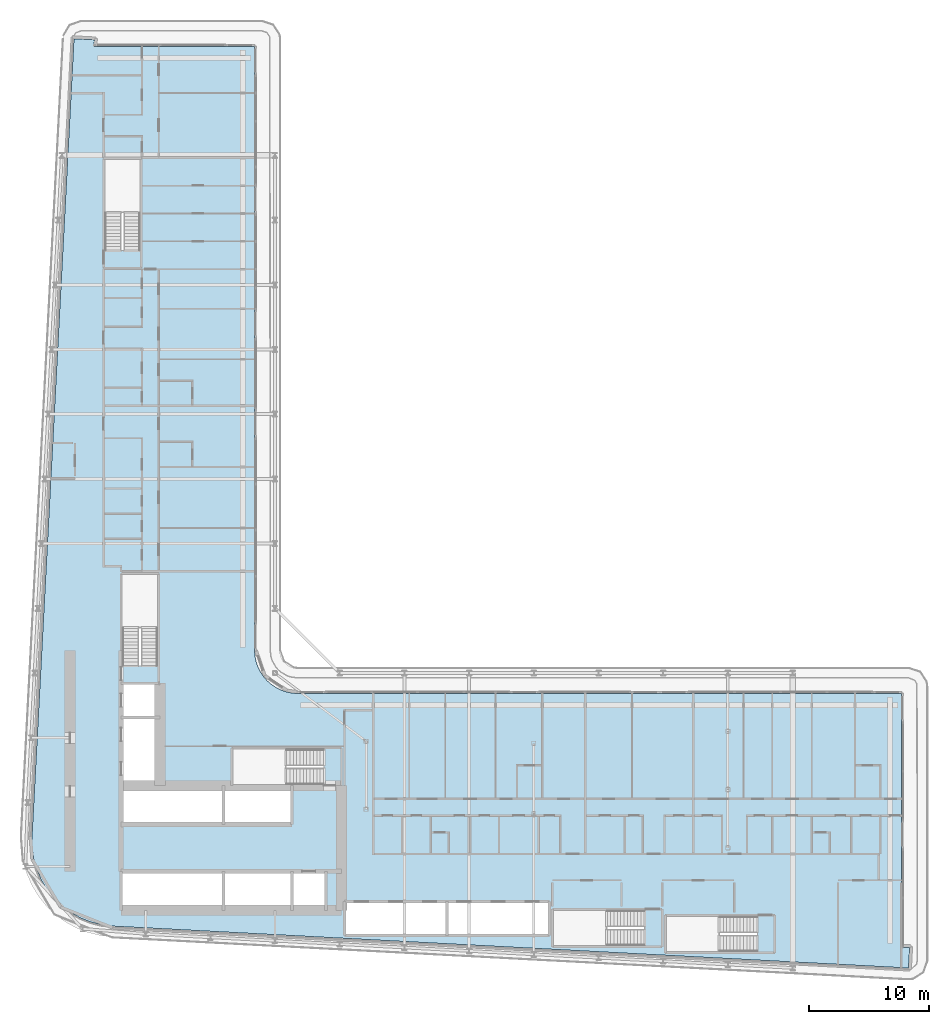
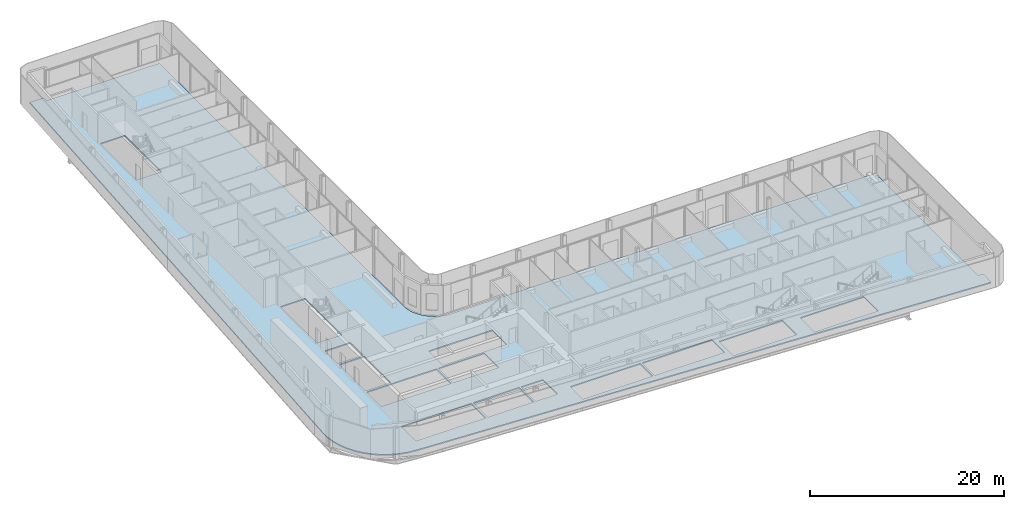
# One storey, part 11 of 28: 1 slab.
"""IFC4 building model written with IfcOpenShell, lengths in metres."""

from ifc_helpers import new_model, si_unit, direction, frame, origin, place, context, subcontext, project, spatial, polyline, outline, extrude, material, layer, layer_set, type_object, element, save


model = new_model("IFC4")

# Units and contexts
model_context = context("Model", 3, precision=1e-05, world=origin(), true_north=direction((0.0, 1.0)))
body_context = subcontext(model_context, "Body", "Model", "MODEL_VIEW")
ifc_project = project(units=[si_unit("LENGTHUNIT", "METRE"), si_unit("AREAUNIT", "SQUARE_METRE"), si_unit("VOLUMEUNIT", "CUBIC_METRE"), si_unit("PLANEANGLEUNIT", "RADIAN"), si_unit("MASSUNIT", "GRAM", prefix="KILO")], contexts=[model_context])

# Site, building, storey
site_placement = place(None, origin())
site = spatial("IfcSite", under=ifc_project, at=site_placement, CompositionType="ELEMENT")
building_placement = place(site_placement, origin())
building = spatial("IfcBuilding", under=site, at=building_placement, Name="Kheshtan School and Residences Tower", CompositionType="ELEMENT")
storey_placement = place(building_placement, frame((0.0, 0.0, 140.89990234375)))
storey = spatial("IfcBuildingStorey", under=building, at=storey_placement, Name="L33", CompositionType="ELEMENT", Elevation=140.89990234375)

# Slab
ifc_material = material(Name="Concrete C40/50", Category="concrete")
ifc_layer = layer(ifc_material, 0.14990234375)
ifc_layer_set = layer_set([ifc_layer], Name="Floor slab 150 Concrete C40/50")
slab_type = type_object("IfcSlabType", Name="Floor slab 150 Concrete C40/50", PredefinedType="FLOOR", material=ifc_layer_set)
slab_placement = place(storey_placement, frame((0.0, 0.0, -0.14990234375)))
element("IfcSlab", 1, at=slab_placement, inside=storey, type_object=slab_type, Name="Floor slab L33", PredefinedType="FLOOR", context=body_context, shape_type="SweptSolid", body=[
    extrude(outline(polyline([(27.718017578125, 29.200927734375), (27.466064453125, 30.093017578125), (27.466064453125, 30.093994140625), (27.3330078125, 31.013916015625), (27.320068359375, 31.965087890625), (27.320068359375, 31.970947265625), (30.822021484375, 98.5009765625), (30.822998046875, 98.508056640625), (30.825927734375, 98.531005859375), (30.825927734375, 98.531982421875), (30.826904296875, 98.531982421875), (31.422119140625, 98.5), (31.423095703125, 98.5), (31.423095703125, 98.4990234375), (31.423095703125, 98.4951171875), (31.423095703125, 98.493896484375), (31.424072265625, 98.493896484375), (31.424072265625, 98.492919921875), (31.425048828125, 98.492919921875), (31.426025390625, 98.492919921875), (31.426025390625, 98.493896484375), (31.427978515625, 98.49609375), (31.428955078125, 98.4970703125), (31.429931640625, 98.498046875), (31.430908203125, 98.498046875), (31.430908203125, 98.4990234375), (31.431884765625, 98.4990234375), (31.431884765625, 98.5), (31.43505859375, 98.5009765625), (31.43603515625, 98.501953125), (31.43896484375, 98.501953125), (31.43994140625, 98.501953125), (31.43994140625, 98.5029296875), (31.44091796875, 98.5029296875), (31.446044921875, 98.5029296875), (32.5009765625, 98.447021484375), (32.50390625, 98.447021484375), (32.5048828125, 98.447021484375), (32.5048828125, 98.446044921875), (32.506103515625, 98.446044921875), (32.510009765625, 98.446044921875), (32.510009765625, 98.445068359375), (32.510986328125, 98.445068359375), (32.510986328125, 98.444091796875), (32.511962890625, 98.444091796875), (32.511962890625, 98.443115234375), (32.512939453125, 98.443115234375), (32.513916015625, 98.443115234375), (32.513916015625, 98.44189453125), (32.514892578125, 98.44189453125), (32.51611328125, 98.44189453125), (32.51904296875, 98.43896484375), (32.51904296875, 98.43798828125), (32.51904296875, 98.43701171875), (32.52001953125, 98.43701171875), (32.52001953125, 98.43603515625), (32.52099609375, 98.43603515625), (32.52099609375, 98.43408203125), (32.52099609375, 98.43310546875), (32.52197265625, 98.43310546875), (32.52197265625, 98.431884765625), (32.52294921875, 98.431884765625), (32.52294921875, 98.430908203125), (32.52294921875, 98.428955078125), (32.52294921875, 98.427978515625), (32.52392578125, 98.427978515625), (32.52392578125, 98.427001953125), (32.52392578125, 98.422119140625), (32.4970703125, 97.9208984375), (32.4970703125, 97.91796875), (32.4970703125, 97.9169921875), (32.49609375, 97.9169921875), (32.49609375, 97.916015625), (32.49609375, 97.912109375), (32.4951171875, 97.910888671875), (32.4951171875, 97.909912109375), (32.493896484375, 97.909912109375), (32.493896484375, 97.908935546875), (32.492919921875, 97.908935546875), (32.492919921875, 97.907958984375), (32.489013671875, 97.904052734375), (32.488037109375, 97.904052734375), (32.488037109375, 97.903076171875), (32.488037109375, 97.902099609375), (32.488037109375, 97.90087890625), (32.489013671875, 97.90087890625), (32.489013671875, 97.89990234375), (32.489990234375, 97.89990234375), (45.85498046875, 97.89990234375), (45.864990234375, 97.89794921875), (45.865966796875, 97.89794921875), (45.868896484375, 97.89599609375), (45.8740234375, 97.89404296875), (45.8779296875, 97.89208984375), (45.881103515625, 97.889892578125), (45.881103515625, 97.888916015625), (45.882080078125, 97.888916015625), (45.882080078125, 97.887939453125), (45.883056640625, 97.887939453125), (45.884033203125, 97.885009765625), (45.885009765625, 97.885009765625), (45.885009765625, 97.884033203125), (45.887939453125, 97.883056640625), (45.887939453125, 97.882080078125), (45.888916015625, 97.882080078125), (45.888916015625, 97.881103515625), (45.889892578125, 97.881103515625), (45.89208984375, 97.8779296875), (45.89404296875, 97.8740234375), (45.89599609375, 97.868896484375), (45.89794921875, 97.865966796875), (45.89794921875, 97.864990234375), (45.89990234375, 97.85498046875), (45.89990234375, 47.429931640625), (45.927001953125, 47.030029296875), (46.01806640625, 46.570068359375), (46.01806640625, 46.569091796875), (46.169921875, 46.1201171875), (46.37890625, 45.697021484375), (46.638916015625, 45.30810546875), (46.949951171875, 44.950927734375), (46.950927734375, 44.949951171875), (47.30810546875, 44.638916015625), (47.697021484375, 44.37890625), (48.1201171875, 44.169921875), (48.569091796875, 44.01806640625), (48.570068359375, 44.01806640625), (49.030029296875, 43.927001953125), (49.429931640625, 43.89990234375), (99.85498046875, 43.89990234375), (99.864990234375, 43.89794921875), (99.865966796875, 43.89794921875), (99.868896484375, 43.89599609375), (99.8740234375, 43.89404296875), (99.8779296875, 43.89208984375), (99.881103515625, 43.889892578125), (99.881103515625, 43.888916015625), (99.882080078125, 43.888916015625), (99.882080078125, 43.887939453125), (99.883056640625, 43.887939453125), (99.884033203125, 43.885009765625), (99.885009765625, 43.885009765625), (99.885009765625, 43.884033203125), (99.887939453125, 43.883056640625), (99.887939453125, 43.882080078125), (99.888916015625, 43.882080078125), (99.888916015625, 43.881103515625), (99.889892578125, 43.881103515625), (99.89208984375, 43.8779296875), (99.89404296875, 43.8740234375), (99.89599609375, 43.868896484375), (99.89794921875, 43.865966796875), (99.89794921875, 43.864990234375), (99.89990234375, 43.85498046875), (99.89990234375, 22.708984375), (99.89990234375, 22.7080078125), (99.90087890625, 22.7080078125), (99.90087890625, 22.70703125), (99.902099609375, 22.70703125), (99.903076171875, 22.70703125), (99.903076171875, 22.7080078125), (99.905029296875, 22.7099609375), (99.906982421875, 22.7119140625), (99.907958984375, 22.7119140625), (99.907958984375, 22.712890625), (99.908935546875, 22.712890625), (99.908935546875, 22.714111328125), (99.909912109375, 22.714111328125), (99.912109375, 22.715087890625), (99.9130859375, 22.716064453125), (99.916015625, 22.716064453125), (99.9169921875, 22.716064453125), (99.9169921875, 22.717041015625), (99.91796875, 22.717041015625), (99.923095703125, 22.717041015625), (100.5380859375, 22.68408203125), (100.541015625, 22.68408203125), (100.5419921875, 22.68408203125), (100.5419921875, 22.68310546875), (100.54296875, 22.68310546875), (100.547119140625, 22.68310546875), (100.547119140625, 22.681884765625), (100.548095703125, 22.681884765625), (100.548095703125, 22.680908203125), (100.549072265625, 22.680908203125), (100.549072265625, 22.679931640625), (100.550048828125, 22.679931640625), (100.551025390625, 22.679931640625), (100.551025390625, 22.678955078125), (100.552001953125, 22.678955078125), (100.552978515625, 22.678955078125), (100.552978515625, 22.677978515625), (100.554931640625, 22.676025390625), (100.555908203125, 22.676025390625), (100.555908203125, 22.675048828125), (100.555908203125, 22.674072265625), (100.556884765625, 22.674072265625), (100.556884765625, 22.673095703125), (100.55810546875, 22.673095703125), (100.55810546875, 22.6708984375), (100.55810546875, 22.669921875), (100.55908203125, 22.669921875), (100.55908203125, 22.6689453125), (100.56005859375, 22.6689453125), (100.56005859375, 22.66796875), (100.56005859375, 22.666015625), (100.56005859375, 22.6650390625), (100.56103515625, 22.6650390625), (100.56103515625, 22.6640625), (100.56103515625, 22.658935546875), (100.5048828125, 21.60205078125), (100.5048828125, 21.59912109375), (100.5048828125, 21.597900390625), (100.50390625, 21.597900390625), (100.50390625, 21.596923828125), (100.50390625, 21.593017578125), (100.5029296875, 21.592041015625), (100.5029296875, 21.591064453125), (100.501953125, 21.591064453125), (100.501953125, 21.590087890625), (100.5009765625, 21.590087890625), (100.5009765625, 21.589111328125), (100.5, 21.587890625), (100.498046875, 21.5859375), (100.4970703125, 21.5849609375), (100.49609375, 21.5849609375), (100.49609375, 21.583984375), (100.49609375, 21.5830078125), (100.49609375, 21.58203125), (100.4970703125, 21.58203125), (100.4970703125, 21.5810546875), (100.498046875, 21.5810546875), (100.4990234375, 21.5810546875), (100.5, 21.5810546875), (100.5, 21.580078125), (100.468017578125, 20.985107421875), (100.468017578125, 20.98388671875), (100.467041015625, 20.98388671875), (100.443115234375, 20.98291015625), (100.43798828125, 20.98291015625), (34.056884765625, 24.47802734375), (33.114990234375, 24.590087890625), (32.215087890625, 24.819091796875), (32.214111328125, 24.819091796875), (31.35205078125, 25.1630859375), (30.541015625, 25.616943359375), (29.799072265625, 26.1708984375), (29.799072265625, 26.172119140625), (29.798095703125, 26.172119140625), (29.134033203125, 26.820068359375), (29.134033203125, 26.821044921875), (29.133056640625, 26.821044921875), (28.55908203125, 27.550048828125), (28.0849609375, 28.345947265625), (27.718017578125, 29.200927734375)]), holes=[polyline([(99.89990234375, 21.5869140625), (99.89990234375, 21.5830078125), (99.89990234375, 21.58203125), (99.90087890625, 21.58203125), (99.90087890625, 21.5810546875), (99.902099609375, 21.5810546875), (99.906005859375, 21.5810546875), (99.906982421875, 21.5810546875), (99.906982421875, 21.58203125), (99.907958984375, 21.58203125), (99.907958984375, 21.5830078125), (99.907958984375, 21.583984375), (99.906982421875, 21.583984375), (99.905029296875, 21.5859375), (99.904052734375, 21.5869140625), (99.903076171875, 21.587890625), (99.903076171875, 21.589111328125), (99.902099609375, 21.589111328125), (99.90087890625, 21.589111328125), (99.90087890625, 21.587890625), (99.89990234375, 21.587890625), (99.89990234375, 21.5869140625)]), polyline([(31.423095703125, 97.906005859375), (31.423095703125, 97.902099609375), (31.423095703125, 97.90087890625), (31.424072265625, 97.90087890625), (31.424072265625, 97.89990234375), (31.425048828125, 97.89990234375), (31.428955078125, 97.89990234375), (31.429931640625, 97.89990234375), (31.429931640625, 97.90087890625), (31.430908203125, 97.90087890625), (31.430908203125, 97.902099609375), (31.430908203125, 97.903076171875), (31.429931640625, 97.903076171875), (31.428955078125, 97.904052734375), (31.427978515625, 97.905029296875), (31.427001953125, 97.906005859375), (31.426025390625, 97.906982421875), (31.426025390625, 97.907958984375), (31.425048828125, 97.907958984375), (31.424072265625, 97.907958984375), (31.424072265625, 97.906982421875), (31.423095703125, 97.906982421875), (31.423095703125, 97.906005859375)]), polyline([(34.875, 28.925048828125), (34.875, 25.925048828125), (43.175048828125, 25.925048828125), (43.175048828125, 28.925048828125), (34.875, 28.925048828125)]), polyline([(43.425048828125, 25.925048828125), (48.875, 25.925048828125), (48.875, 28.925048828125), (43.425048828125, 28.925048828125), (43.425048828125, 25.925048828125)]), polyline([(43.175048828125, 36.074951171875), (34.875, 36.074951171875), (34.875, 33.074951171875), (43.175048828125, 33.074951171875), (43.175048828125, 36.074951171875)]), polyline([(34.875, 41.77490234375), (34.875, 36.324951171875), (37.875, 36.324951171875), (37.875, 41.77490234375), (34.875, 41.77490234375)]), polyline([(34.875, 44.625), (34.875, 42.02490234375), (37.875, 42.02490234375), (37.875, 44.625), (34.875, 44.625)]), polyline([(37.800048828125, 46.25), (37.800048828125, 53.81005859375), (34.85009765625, 53.81005859375), (34.85009765625, 46.260009765625), (36.25, 46.260009765625), (36.25, 46.25), (37.800048828125, 46.25)]), polyline([(33.39990234375, 88.4599609375), (33.39990234375, 80.909912109375), (34.800048828125, 80.909912109375), (34.800048828125, 80.89990234375), (36.35009765625, 80.89990234375), (36.35009765625, 88.4599609375), (33.39990234375, 88.4599609375)]), polyline([(87.81005859375, 22.35009765625), (87.81005859375, 23.75), (87.820068359375, 23.75), (87.820068359375, 25.300048828125), (80.260009765625, 25.300048828125), (80.260009765625, 22.35009765625), (87.81005859375, 22.35009765625)]), polyline([(70.85009765625, 22.85009765625), (78.39990234375, 22.85009765625), (78.39990234375, 24.25), (78.409912109375, 24.25), (78.409912109375, 25.800048828125), (70.85009765625, 25.800048828125), (70.85009765625, 22.85009765625)]), polyline([(61.824951171875, 26.425048828125), (53.52490234375, 26.425048828125), (53.52490234375, 23.824951171875), (61.824951171875, 23.824951171875), (61.824951171875, 26.425048828125)]), polyline([(62.074951171875, 23.824951171875), (70.375, 23.824951171875), (70.375, 26.425048828125), (62.074951171875, 26.425048828125), (62.074951171875, 23.824951171875)]), polyline([(49.125, 28.925048828125), (49.125, 25.925048828125), (51.72509765625, 25.925048828125), (51.72509765625, 28.925048828125), (49.125, 28.925048828125)]), polyline([(43.425048828125, 33.074951171875), (48.875, 33.074951171875), (48.875, 36.074951171875), (43.425048828125, 36.074951171875), (43.425048828125, 33.074951171875)]), polyline([(51.64990234375, 39.25), (44.090087890625, 39.25), (44.090087890625, 36.300048828125), (51.639892578125, 36.300048828125), (51.639892578125, 37.699951171875), (51.64990234375, 37.699951171875), (51.64990234375, 39.25)])]), origin(), (0.0, 0.0, 1.0), 0.14990234375),
])

save(model, "model.ifc")
